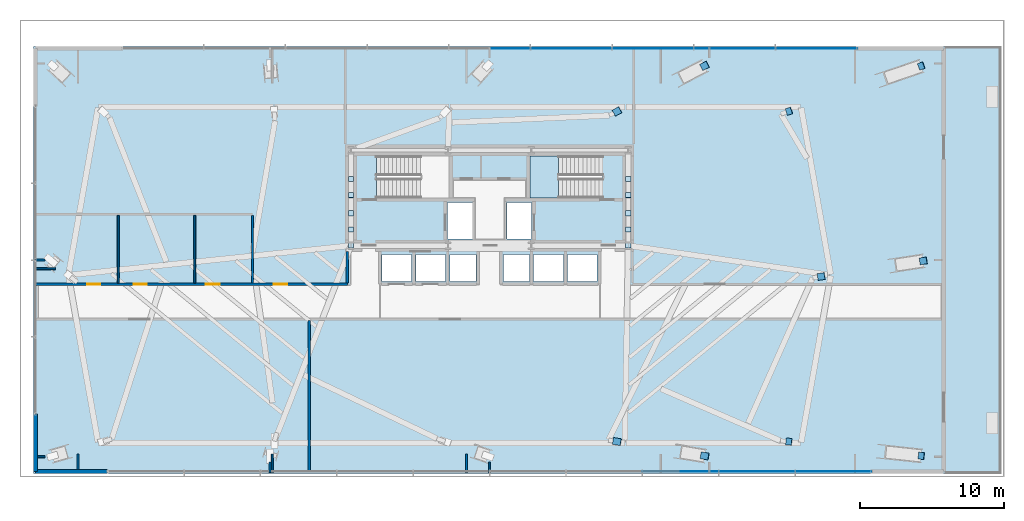
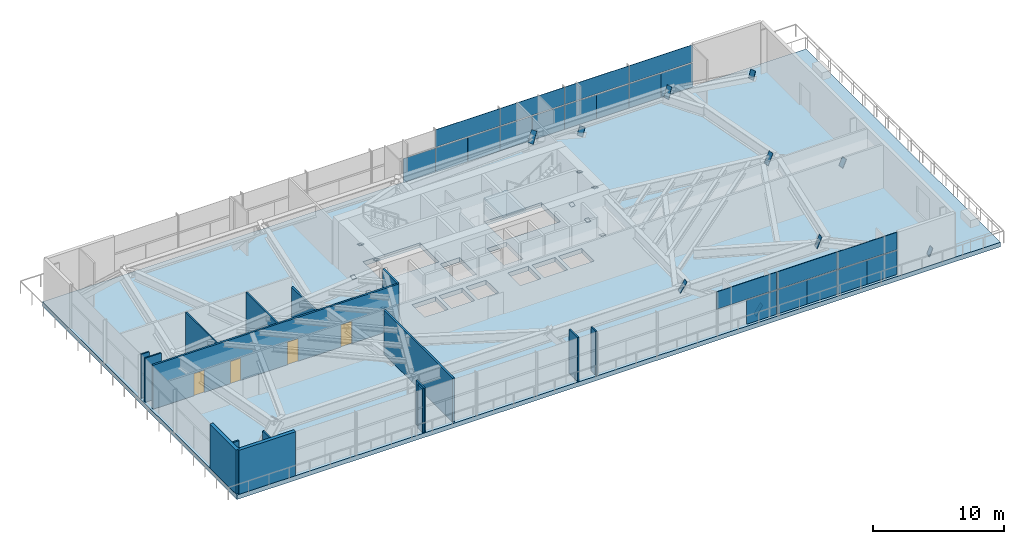
# One storey, part 20 of 29: 41 plates, 16 walls, 4 doors, 2 slabs, 4 openings, 3 elements without a shape of their own.
"""IFC4 building model written with IfcOpenShell, lengths in metres."""

from ifc_helpers import new_model, si_unit, direction, frame, frame_2d, origin, origin_2d, place, context, subcontext, project, spatial, polyline, rectangle, outline, extrude, source, transform, mapped, material, layer, layer_set, type_object, type_shapes, element, fill, aggregate, save


model = new_model("IFC4")

# Units and contexts
model_context = context("Model", 3, precision=1e-05, world=origin(), true_north=direction((0.0, 1.0)))
body_context = subcontext(model_context, "Body", "Model", "MODEL_VIEW")
ifc_project = project(units=[si_unit("LENGTHUNIT", "METRE"), si_unit("AREAUNIT", "SQUARE_METRE"), si_unit("VOLUMEUNIT", "CUBIC_METRE"), si_unit("PLANEANGLEUNIT", "RADIAN"), si_unit("MASSUNIT", "GRAM", prefix="KILO")], contexts=[model_context])

# Site, building, storey
site_placement = place(None, origin())
site = spatial("IfcSite", under=ifc_project, at=site_placement, CompositionType="ELEMENT")
building_placement = place(site_placement, origin())
building = spatial("IfcBuilding", under=site, at=building_placement, Name="Astriad Promenade Condominiums", CompositionType="ELEMENT")
storey_placement = place(building_placement, frame((0.0, 0.0, 18.5)))
storey = spatial("IfcBuildingStorey", under=building, at=storey_placement, Name="L04", CompositionType="ELEMENT", Elevation=18.5)

# Slab
ifc_material_1 = material(Name="Concrete C60/75", Category="concrete")
ifc_layer_1 = layer(ifc_material_1, 0.419921875)
ifc_layer_set_1 = layer_set([ifc_layer_1], Name="Concrete C60/75")
slab_type_1 = type_object("IfcSlabType", Name="CONCRETE TRANSFER FLOOR SLAB 420", PredefinedType="FLOOR", material=ifc_layer_set_1)
slab_1_placement = place(storey_placement, frame((0.0, 0.0, -0.419921875)))
element("IfcSlab", 1, at=slab_1_placement, inside=storey, type_object=slab_type_1, Name="Structural Floor Slab (L04)", PredefinedType="FLOOR", context=body_context, shape_type="SweptSolid", body=[
    extrude(outline(polyline([(67.60009765625, 1.60009765625), (71.449951171875, 1.60009765625), (71.449951171875, 31.199951171875), (67.60009765625, 31.199951171875), (4.39990234375, 31.199951171875), (4.39990234375, 1.60009765625), (67.60009765625, 1.60009765625)]), holes=[polyline([(28.175048828125, 20.699951171875), (33.175048828125, 20.699951171875), (33.175048828125, 23.60009765625), (28.175048828125, 23.60009765625), (28.175048828125, 20.699951171875)]), polyline([(38.824951171875, 20.699951171875), (43.824951171875, 20.699951171875), (43.824951171875, 23.60009765625), (38.824951171875, 23.60009765625), (38.824951171875, 20.699951171875)]), polyline([(33.10009765625, 17.85009765625), (34.800048828125, 17.85009765625), (34.800048828125, 20.39990234375), (33.10009765625, 20.39990234375), (33.10009765625, 17.85009765625)]), polyline([(37.199951171875, 17.85009765625), (38.89990234375, 17.85009765625), (38.89990234375, 20.39990234375), (37.199951171875, 20.39990234375), (37.199951171875, 17.85009765625)]), polyline([(28.550048828125, 14.89990234375), (30.60009765625, 14.89990234375), (30.60009765625, 16.800048828125), (28.550048828125, 16.800048828125), (28.550048828125, 14.89990234375)]), polyline([(30.89990234375, 14.89990234375), (32.949951171875, 14.89990234375), (32.949951171875, 16.800048828125), (30.89990234375, 16.800048828125), (30.89990234375, 14.89990234375)]), polyline([(33.25, 14.89990234375), (35.050048828125, 14.89990234375), (35.050048828125, 16.800048828125), (33.25, 16.800048828125), (33.25, 14.89990234375)]), polyline([(36.949951171875, 14.89990234375), (38.75, 14.89990234375), (38.75, 16.800048828125), (36.949951171875, 16.800048828125), (36.949951171875, 14.89990234375)]), polyline([(39.050048828125, 14.89990234375), (41.10009765625, 14.89990234375), (41.10009765625, 16.800048828125), (39.050048828125, 16.800048828125), (39.050048828125, 14.89990234375)]), polyline([(41.39990234375, 14.89990234375), (43.449951171875, 14.89990234375), (43.449951171875, 16.800048828125), (41.39990234375, 16.800048828125), (41.39990234375, 14.89990234375)])]), origin(), (0.0, 0.0, 1.0), 0.419921875),
])

# Stair, slab
ifc_material_2 = material(Name="Concrete C50/60", Category="concrete")
stair_type = type_object("IfcStairType", Name="STR-CORE-1350", PredefinedType="HALF_TURN_STAIR", material=ifc_material_2)
stair_placement = place(storey_placement, origin())
stair = element("IfcStair", 2, at=stair_placement, inside=storey, type_object=stair_type, Name="L04 Enclosed Core Exit Stair ST-2", PredefinedType="HALF_TURN_STAIR")
ifc_layer_2 = layer(ifc_material_2, 0.219970703125)
ifc_layer_set_2 = layer_set([ifc_layer_2], Name="Concrete C50/60")
slab_type_2 = type_object("IfcSlabType", Name="SLB-LANDING-220", PredefinedType="LANDING", material=ifc_layer_set_2)
slab_2_placement = place(storey_placement, frame((0.0, 0.0, 2.050048828125)))
slab_2 = element("IfcSlab", 3, at=slab_2_placement, type_object=slab_type_2, Name="ST-2 landing 1", PredefinedType="LANDING", context=body_context, shape_type="SweptSolid", body=[
    extrude(outline(polyline([(40.77001953125, 23.60009765625), (38.800048828125, 23.60009765625), (38.800048828125, 20.699951171875), (40.77001953125, 20.699951171875), (40.77001953125, 23.60009765625)])), origin(), (0.0, 0.0, 1.0), 0.199951171875),
])
aggregate(stair, [slab_2])

# Plates
ifc_material_3 = material(Name="Steel ASTM A572 Grade 50", Category="steel")
ifc_layer_3 = layer(ifc_material_3, 0.02490234375)
ifc_layer_set_3 = layer_set([ifc_layer_3], Name="Steel ASTM A572 Grade 50")
plate_type_1 = type_object("IfcPlateType", Name="STEEL HOLLOW SECTION END CAP PLATE 30", PredefinedType="USERDEFINED", material=ifc_layer_set_3)
shared_shape_1 = source(origin(), body_context, "Body", "SweptSolid", [
    extrude(rectangle(XDim=0.477294921875, YDim=1.05126953125, at=origin_2d()), origin(), (0.0, 0.0, 1.0), 0.02490234375),
])
for number, where, z_axis, x_axis, name in (
    (4, (50.903076171875, 2.830322265625, 0.186767578125), (-0.846183825793, 0.138714993966, 0.514520245874), (-0.161770863628, -0.986828347627, 0.0), "Hollow Section End Cap Plate COL-PC04-L04-A"),
    (5, (44.827880859375, 3.826171875, 3.880615234375), (-0.846183825793, 0.138714993966, 0.514520245874), (-0.161770863628, -0.986828347627, 0.0), "Hollow Section End Cap Plate COL-PC04-L04-B"),
    (6, (65.90380859375, 2.835693359375, 0.2060546875), (-0.924123895618, 0.099472511959, 0.368917666848), (-0.107021592678, -0.994256696583, 0.0), "Hollow Section End Cap Plate COL-PC05-L04-A"),
    (7, (56.739013671875, 3.822021484375, 3.86474609375), (-0.924123895618, 0.099472511959, 0.368917666848), (-0.107021592678, -0.994256696583, 0.0), "Hollow Section End Cap Plate COL-PC05-L04-B"),
    (8, (50.89306640625, 29.854736328125, 0.192626953125), (-0.780438977804, -0.407076515898, 0.474556331881), (0.462468634239, -0.886635642383, 0.0), "Hollow Section End Cap Plate COL-PC09-L04-A"),
    (9, (44.83642578125, 26.695556640625, 3.87548828125), (-0.780438977804, -0.407076515898, 0.474556331881), (0.462468634239, -0.886635642383, 0.0), "Hollow Section End Cap Plate COL-PC09-L04-B"),
    (10, (65.899658203125, 29.841552734375, 0.207763671875), (-0.885042041519, -0.303094200835, 0.353319246808), (0.323990689492, -0.946060269286, 0.0), "Hollow Section End Cap Plate COL-PC10-L04-A"),
    (11, (56.742431640625, 26.70556640625, 3.863525390625), (-0.885042041519, -0.303094200835, 0.353319246808), (0.323990689492, -0.946060269286, 0.0), "Hollow Section End Cap Plate COL-PC10-L04-B"),
    (12, (66.045166015625, 16.3427734375, 0.195068359375), (-0.879002492726, -0.134549853958, 0.457439563857), (0.151308697422, -0.988486559385, 0.0), "Hollow Section End Cap Plate COL-PC12-L04-A"),
    (13, (58.976806640625, 15.2607421875, 3.87353515625), (-0.879002492726, -0.134549853958, 0.457439563857), (0.151308697422, -0.988486559385, 0.0), "Hollow Section End Cap Plate COL-PC12-L04-B"),
):
    element("IfcPlate", number, at=place(storey_placement, frame(where, z_axis=z_axis, x_axis=x_axis)), inside=storey, type_object=plate_type_1, Name=name, ObjectType="STIFFENER_PLATE", PredefinedType="USERDEFINED", context=body_context, shape_type="MappedRepresentation", body=[
        mapped(shared_shape_1, transform((0.0, 0.0, 0.0), scale=1.0)),
    ])
shared_shape_2 = source(origin(), body_context, "Body", "SweptSolid", [
    extrude(rectangle(XDim=0.35498046875, YDim=0.380615234375, at=origin_2d()), origin(), (0.0, 0.0, 1.0), 0.02490234375),
])
type_shapes(plate_type_1, [shared_shape_1, shared_shape_2])
for number, where, z_axis, x_axis, name in (
    (14, (26.39990234375, 17.39990234375, 0.14013671875), (0.0, 0.285973970079, 0.958237386266), (1.0, 0.0, 0.0), "Hollow Section End Cap Plate BRACE-TR-L04-01A-A"),
    (15, (26.39990234375, 18.514892578125, 3.8759765625), (0.0, 0.285973970079, 0.958237386266), (1.0, 0.0, 0.0), "Hollow Section End Cap Plate BRACE-TR-L04-01A-B"),
    (16, (26.39990234375, 19.64404296875, 0.14013671875), (0.0, -0.285973970079, 0.958237386266), (1.0, 0.0, 0.0), "Hollow Section End Cap Plate BRACE-TR-L04-01B-A"),
    (17, (26.39990234375, 20.890869140625, 3.8759765625), (0.0, 0.285973970079, 0.958237386266), (1.0, 0.0, 0.0), "Hollow Section End Cap Plate BRACE-TR-L04-02A-B"),
    (18, (26.39990234375, 22.020263671875, 0.14013671875), (0.0, -0.285973970079, 0.958237386266), (1.0, 0.0, 0.0), "Hollow Section End Cap Plate BRACE-TR-L04-02B-A"),
    (19, (45.60009765625, 17.39990234375, 0.14013671875), (0.0, 0.285973970079, 0.958237386266), (1.0, 0.0, 0.0), "Hollow Section End Cap Plate BRACE-TR-L04-03A-A"),
    (20, (45.60009765625, 18.514892578125, 3.8759765625), (0.0, 0.285973970079, 0.958237386266), (1.0, 0.0, 0.0), "Hollow Section End Cap Plate BRACE-TR-L04-03A-B"),
    (21, (45.60009765625, 19.64404296875, 0.14013671875), (0.0, -0.285973970079, 0.958237386266), (1.0, 0.0, 0.0), "Hollow Section End Cap Plate BRACE-TR-L04-03B-A"),
    (22, (45.60009765625, 20.890869140625, 3.8759765625), (0.0, 0.285973970079, 0.958237386266), (1.0, 0.0, 0.0), "Hollow Section End Cap Plate BRACE-TR-L04-04A-B"),
    (23, (45.60009765625, 22.020263671875, 0.14013671875), (0.0, -0.285973970079, 0.958237386266), (1.0, 0.0, 0.0), "Hollow Section End Cap Plate BRACE-TR-L04-04B-A"),
):
    element("IfcPlate", number, at=place(storey_placement, frame(where, z_axis=z_axis, x_axis=x_axis)), inside=storey, type_object=plate_type_1, Name=name, ObjectType="STIFFENER_PLATE", PredefinedType="USERDEFINED", context=body_context, shape_type="MappedRepresentation", body=[
        mapped(shared_shape_2, transform((0.0, 0.0, 0.0), scale=1.0)),
    ])

# Curtain wall, plates
ifc_material_4 = material(Name="Anodised aluminium Black Dark Glass Unitised", Category="aluminium")
curtain_wall_type = type_object("IfcCurtainWallType", Name="CW-POD-DARK", PredefinedType="USERDEFINED", material=ifc_material_4)
curtain_wall_1_placement = place(storey_placement, origin())
curtain_wall_1 = element("IfcCurtainWall", 24, at=curtain_wall_1_placement, inside=storey, type_object=curtain_wall_type, Name="CW-L04-N", ObjectType="UNITISED_CURTAIN_WALL", PredefinedType="USERDEFINED")
ifc_material_5 = material(Name="Dark Tinted Low-E Laminated Glass", Category="glass")
ifc_layer_4 = layer(ifc_material_5, 0.035888671875)
ifc_layer_set_4 = layer_set([ifc_layer_4], Name="Dark Tinted Low-E Laminated Glass")
plate_type_2 = type_object("IfcPlateType", Name="PNL-DARK-GLASS-36", PredefinedType="CURTAIN_PANEL", material=ifc_layer_set_4)
shared_shape_3 = source(origin(), body_context, "Body", "SweptSolid", [
    extrude(rectangle(XDim=2.81591796875, YDim=0.035888671875, at=origin_2d()), origin(), (0.0, 0.0, 1.0), 2.22998046875),
])
plate_1_placement = place(storey_placement, frame((37.413818359375, 31.050048828125, 0.080078125), z_axis=(0.0, 0.0, 1.0), x_axis=(1.0, 0.0, 0.0)))
plate_1 = element("IfcPlate", 25, at=plate_1_placement, type_object=plate_type_2, Name="CW-L04-N-PNL-04-VR", PredefinedType="CURTAIN_PANEL", context=body_context, shape_type="MappedRepresentation", body=[
    mapped(shared_shape_3, transform((0.0, 0.0, 0.0), scale=1.0)),
])
plate_2_placement = place(storey_placement, frame((40.24169921875, 31.050048828125, 0.080078125), z_axis=(0.0, 0.0, 1.0), x_axis=(1.0, 0.0, 0.0)))
plate_2 = element("IfcPlate", 26, at=plate_2_placement, type_object=plate_type_2, Name="CW-L04-N-PNL-05-VL", PredefinedType="CURTAIN_PANEL", context=body_context, shape_type="MappedRepresentation", body=[
    mapped(shared_shape_3, transform((0.0, 0.0, 0.0), scale=1.0)),
])
plate_3_placement = place(storey_placement, frame((43.0693359375, 31.050048828125, 0.080078125), z_axis=(0.0, 0.0, 1.0), x_axis=(1.0, 0.0, 0.0)))
plate_3 = element("IfcPlate", 27, at=plate_3_placement, type_object=plate_type_2, Name="CW-L04-N-PNL-05-VR", PredefinedType="CURTAIN_PANEL", context=body_context, shape_type="MappedRepresentation", body=[
    mapped(shared_shape_3, transform((0.0, 0.0, 0.0), scale=1.0)),
])
plate_4_placement = place(storey_placement, frame((45.897216796875, 31.050048828125, 0.080078125), z_axis=(0.0, 0.0, 1.0), x_axis=(1.0, 0.0, 0.0)))
plate_4 = element("IfcPlate", 28, at=plate_4_placement, type_object=plate_type_2, Name="CW-L04-N-PNL-06-VL", PredefinedType="CURTAIN_PANEL", context=body_context, shape_type="MappedRepresentation", body=[
    mapped(shared_shape_3, transform((0.0, 0.0, 0.0), scale=1.0)),
])
plate_5_placement = place(storey_placement, frame((48.72509765625, 31.050048828125, 0.080078125), z_axis=(0.0, 0.0, 1.0), x_axis=(1.0, 0.0, 0.0)))
plate_5 = element("IfcPlate", 29, at=plate_5_placement, type_object=plate_type_2, Name="CW-L04-N-PNL-06-VR", PredefinedType="CURTAIN_PANEL", context=body_context, shape_type="MappedRepresentation", body=[
    mapped(shared_shape_3, transform((0.0, 0.0, 0.0), scale=1.0)),
])
plate_6_placement = place(storey_placement, frame((51.552734375, 31.050048828125, 0.080078125), z_axis=(0.0, 0.0, 1.0), x_axis=(1.0, 0.0, 0.0)))
plate_6 = element("IfcPlate", 30, at=plate_6_placement, type_object=plate_type_2, Name="CW-L04-N-PNL-07-VL", PredefinedType="CURTAIN_PANEL", context=body_context, shape_type="MappedRepresentation", body=[
    mapped(shared_shape_3, transform((0.0, 0.0, 0.0), scale=1.0)),
])
plate_7_placement = place(storey_placement, frame((54.380615234375, 31.050048828125, 0.080078125), z_axis=(0.0, 0.0, 1.0), x_axis=(1.0, 0.0, 0.0)))
plate_7 = element("IfcPlate", 31, at=plate_7_placement, type_object=plate_type_2, Name="CW-L04-N-PNL-07-VR", PredefinedType="CURTAIN_PANEL", context=body_context, shape_type="MappedRepresentation", body=[
    mapped(shared_shape_3, transform((0.0, 0.0, 0.0), scale=1.0)),
])
plate_8_placement = place(storey_placement, frame((57.208251953125, 31.050048828125, 0.080078125), z_axis=(0.0, 0.0, 1.0), x_axis=(1.0, 0.0, 0.0)))
plate_8 = element("IfcPlate", 32, at=plate_8_placement, type_object=plate_type_2, Name="CW-L04-N-PNL-08-VL", PredefinedType="CURTAIN_PANEL", context=body_context, shape_type="MappedRepresentation", body=[
    mapped(shared_shape_3, transform((0.0, 0.0, 0.0), scale=1.0)),
])
plate_9_placement = place(storey_placement, frame((60.0361328125, 31.050048828125, 0.080078125), z_axis=(0.0, 0.0, 1.0), x_axis=(1.0, 0.0, 0.0)))
plate_9 = element("IfcPlate", 33, at=plate_9_placement, type_object=plate_type_2, Name="CW-L04-N-PNL-08-VR", PredefinedType="CURTAIN_PANEL", context=body_context, shape_type="MappedRepresentation", body=[
    mapped(shared_shape_3, transform((0.0, 0.0, 0.0), scale=1.0)),
])
shared_shape_4 = source(origin(), body_context, "Body", "SweptSolid", [
    extrude(rectangle(XDim=5.6435546875, YDim=0.035888671875, at=origin_2d()), origin(), (0.0, 0.0, 1.0), 1.610107421875),
])
plate_10_placement = place(storey_placement, frame((41.655517578125, 31.050048828125, 2.39013671875), z_axis=(0.0, 0.0, 1.0), x_axis=(1.0, 0.0, 0.0)))
plate_10 = element("IfcPlate", 34, at=plate_10_placement, type_object=plate_type_2, Name="CW-L04-N-PNL-05-S", PredefinedType="CURTAIN_PANEL", context=body_context, shape_type="MappedRepresentation", body=[
    mapped(shared_shape_4, transform((0.0, 0.0, 0.0), scale=1.0)),
])
plate_11_placement = place(storey_placement, frame((47.31103515625, 31.050048828125, 2.39013671875), z_axis=(0.0, 0.0, 1.0), x_axis=(1.0, 0.0, 0.0)))
plate_11 = element("IfcPlate", 35, at=plate_11_placement, type_object=plate_type_2, Name="CW-L04-N-PNL-06-S", PredefinedType="CURTAIN_PANEL", context=body_context, shape_type="MappedRepresentation", body=[
    mapped(shared_shape_4, transform((0.0, 0.0, 0.0), scale=1.0)),
])
plate_12_placement = place(storey_placement, frame((52.966796875, 31.050048828125, 2.39013671875), z_axis=(0.0, 0.0, 1.0), x_axis=(1.0, 0.0, 0.0)))
plate_12 = element("IfcPlate", 36, at=plate_12_placement, type_object=plate_type_2, Name="CW-L04-N-PNL-07-S", PredefinedType="CURTAIN_PANEL", context=body_context, shape_type="MappedRepresentation", body=[
    mapped(shared_shape_4, transform((0.0, 0.0, 0.0), scale=1.0)),
])
plate_13_placement = place(storey_placement, frame((58.622314453125, 31.050048828125, 2.39013671875), z_axis=(0.0, 0.0, 1.0), x_axis=(1.0, 0.0, 0.0)))
plate_13 = element("IfcPlate", 37, at=plate_13_placement, type_object=plate_type_2, Name="CW-L04-N-PNL-08-S", PredefinedType="CURTAIN_PANEL", context=body_context, shape_type="MappedRepresentation", body=[
    mapped(shared_shape_4, transform((0.0, 0.0, 0.0), scale=1.0)),
])
aggregate(curtain_wall_1, [plate_1, plate_2, plate_3, plate_10, plate_4, plate_5, plate_11, plate_6, plate_7, plate_12, plate_8, plate_9, plate_13])

curtain_wall_2_placement = place(storey_placement, origin())
curtain_wall_2 = element("IfcCurtainWall", 38, at=curtain_wall_2_placement, inside=storey, type_object=curtain_wall_type, Name="CW-L04-S", ObjectType="UNITISED_CURTAIN_WALL", PredefinedType="USERDEFINED")
shared_shape_5 = source(origin(), body_context, "Body", "SweptSolid", [
    extrude(rectangle(XDim=2.633056640625, YDim=0.035888671875, at=origin_2d()), origin(), (0.0, 0.0, 1.0), 2.22998046875),
])
plate_14_placement = place(storey_placement, frame((61.12744140625, 1.75, 0.080078125), z_axis=(0.0, 0.0, 1.0), x_axis=(-1.0, 0.0, 0.0)))
plate_14 = element("IfcPlate", 39, at=plate_14_placement, type_object=plate_type_2, Name="CW-L04-S-PNL-00-VL", PredefinedType="CURTAIN_PANEL", context=body_context, shape_type="MappedRepresentation", body=[
    mapped(shared_shape_5, transform((0.0, 0.0, 0.0), scale=1.0)),
])
plate_15_placement = place(storey_placement, frame((58.482421875, 1.75, 0.080078125), z_axis=(0.0, 0.0, 1.0), x_axis=(-1.0, 0.0, 0.0)))
plate_15 = element("IfcPlate", 40, at=plate_15_placement, type_object=plate_type_2, Name="CW-L04-S-PNL-00-VR", PredefinedType="CURTAIN_PANEL", context=body_context, shape_type="MappedRepresentation", body=[
    mapped(shared_shape_5, transform((0.0, 0.0, 0.0), scale=1.0)),
])
plate_16_placement = place(storey_placement, frame((55.83740234375, 1.75, 0.080078125), z_axis=(0.0, 0.0, 1.0), x_axis=(-1.0, 0.0, 0.0)))
plate_16 = element("IfcPlate", 41, at=plate_16_placement, type_object=plate_type_2, Name="CW-L04-S-PNL-01-VL", PredefinedType="CURTAIN_PANEL", context=body_context, shape_type="MappedRepresentation", body=[
    mapped(shared_shape_5, transform((0.0, 0.0, 0.0), scale=1.0)),
])
plate_17_placement = place(storey_placement, frame((53.1923828125, 1.75, 0.080078125), z_axis=(0.0, 0.0, 1.0), x_axis=(-1.0, 0.0, 0.0)))
plate_17 = element("IfcPlate", 42, at=plate_17_placement, type_object=plate_type_2, Name="CW-L04-S-PNL-01-VR", PredefinedType="CURTAIN_PANEL", context=body_context, shape_type="MappedRepresentation", body=[
    mapped(shared_shape_5, transform((0.0, 0.0, 0.0), scale=1.0)),
])
plate_18_placement = place(storey_placement, frame((50.547607421875, 1.75, 0.080078125), z_axis=(0.0, 0.0, 1.0), x_axis=(-1.0, 0.0, 0.0)))
plate_18 = element("IfcPlate", 43, at=plate_18_placement, type_object=plate_type_2, Name="CW-L04-S-PNL-02-VL", PredefinedType="CURTAIN_PANEL", context=body_context, shape_type="MappedRepresentation", body=[
    mapped(shared_shape_5, transform((0.0, 0.0, 0.0), scale=1.0)),
])
shared_shape_6 = source(origin(), body_context, "Body", "SweptSolid", [
    extrude(rectangle(XDim=5.278076171875, YDim=0.035888671875, at=origin_2d()), origin(), (0.0, 0.0, 1.0), 1.610107421875),
])
type_shapes(plate_type_2, [shared_shape_3, shared_shape_4, shared_shape_5, shared_shape_6])
plate_19_placement = place(storey_placement, frame((59.804931640625, 1.75, 2.39013671875), z_axis=(0.0, 0.0, 1.0), x_axis=(-1.0, 0.0, 0.0)))
plate_19 = element("IfcPlate", 44, at=plate_19_placement, type_object=plate_type_2, Name="CW-L04-S-PNL-00-S", PredefinedType="CURTAIN_PANEL", context=body_context, shape_type="MappedRepresentation", body=[
    mapped(shared_shape_6, transform((0.0, 0.0, 0.0), scale=1.0)),
])
plate_20_placement = place(storey_placement, frame((54.514892578125, 1.75, 2.39013671875), z_axis=(0.0, 0.0, 1.0), x_axis=(-1.0, 0.0, 0.0)))
plate_20 = element("IfcPlate", 45, at=plate_20_placement, type_object=plate_type_2, Name="CW-L04-S-PNL-01-S", PredefinedType="CURTAIN_PANEL", context=body_context, shape_type="MappedRepresentation", body=[
    mapped(shared_shape_6, transform((0.0, 0.0, 0.0), scale=1.0)),
])
plate_21_placement = place(storey_placement, frame((49.22509765625, 1.75, 2.39013671875), z_axis=(0.0, 0.0, 1.0), x_axis=(-1.0, 0.0, 0.0)))
plate_21 = element("IfcPlate", 46, at=plate_21_placement, type_object=plate_type_2, Name="CW-L04-S-PNL-02-S", PredefinedType="CURTAIN_PANEL", context=body_context, shape_type="MappedRepresentation", body=[
    mapped(shared_shape_6, transform((0.0, 0.0, 0.0), scale=1.0)),
])
aggregate(curtain_wall_2, [plate_14, plate_15, plate_19, plate_16, plate_17, plate_20, plate_18, plate_21])

# Wall, openings, doors
ifc_material_6 = material(Name="Fire-Rated Gypsum Partition")
ifc_layer_5 = layer(ifc_material_6, 0.159912109375)
ifc_layer_set_5 = layer_set([ifc_layer_5], Name="Fire-Rated Gypsum Partition")
wall_type_1 = type_object("IfcWallType", Name="WALL-CORR-160", PredefinedType="PARTITIONING", material=ifc_layer_set_5)
wall_1_placement = place(storey_placement, frame((4.550048828125, 14.719970703125, 0.0), z_axis=(0.0, 0.0, 1.0), x_axis=(1.0, 0.0, 0.0)))
wall_1 = element("IfcWall", 47, at=wall_1_placement, inside=storey, type_object=wall_type_1, Name="PT-L04-CNW", PredefinedType="PARTITIONING", context=body_context, shape_type="SweptSolid", body=[
    extrude(rectangle(XDim=21.599853515625, YDim=0.159912109375, at=frame_2d((10.7998046875, 0.0))), origin(), (0.0, 0.0, 1.0), 4.080078125),
])
opening_1_placement = place(wall_1_placement, frame((16.5, 0.0, 0.0)))
opening_1 = element("IfcOpeningElement", 48, at=opening_1_placement, cuts=wall_1, Name="Opening FD60-APT-095", PredefinedType="OPENING", context=body_context, shape_type="SweptSolid", body=[
    extrude(rectangle(XDim=0.949951171875, YDim=2.06005859375, at=frame_2d((0.47509765625, 1.030029296875))), frame((0.0, 0.08984375, 0.0), z_axis=(0.0, -1.0, 0.0), x_axis=(1.0, 0.0, 0.0)), (0.0, 0.0, 1.0), 0.179931640625),
])
opening_2_placement = place(wall_1_placement, frame((3.60009765625, 0.0, 0.0)))
opening_2 = element("IfcOpeningElement", 49, at=opening_2_placement, cuts=wall_1, Name="Opening D-INT-090", PredefinedType="OPENING", context=body_context, shape_type="SweptSolid", body=[
    extrude(rectangle(XDim=0.89990234375, YDim=2.050048828125, at=frame_2d((0.449951171875, 1.02490234375))), frame((0.0, 0.08984375, 0.0), z_axis=(0.0, -1.0, 0.0), x_axis=(1.0, 0.0, 0.0)), (0.0, 0.0, 1.0), 0.179931640625),
])
opening_3_placement = place(wall_1_placement, frame((6.800048828125, 0.0, 0.0)))
opening_3 = element("IfcOpeningElement", 50, at=opening_3_placement, cuts=wall_1, Name="Opening D-INT-090", PredefinedType="OPENING", context=body_context, shape_type="SweptSolid", body=[
    extrude(rectangle(XDim=0.89990234375, YDim=2.050048828125, at=frame_2d((0.449951171875, 1.02490234375))), frame((0.0, 0.08984375, 0.0), z_axis=(0.0, -1.0, 0.0), x_axis=(1.0, 0.0, 0.0)), (0.0, 0.0, 1.0), 0.179931640625),
])
opening_4_placement = place(wall_1_placement, frame((11.800048828125, 0.0, 0.0)))
opening_4 = element("IfcOpeningElement", 51, at=opening_4_placement, cuts=wall_1, Name="Opening D-WET-095", PredefinedType="OPENING", context=body_context, shape_type="SweptSolid", body=[
    extrude(rectangle(XDim=0.949951171875, YDim=2.10009765625, at=frame_2d((0.47509765625, 1.050048828125))), frame((0.0, 0.08984375, 0.0), z_axis=(0.0, -1.0, 0.0), x_axis=(1.0, 0.0, 0.0)), (0.0, 0.0, 1.0), 0.179931640625),
])
ifc_material_7 = material(Name="Accessible Restroom Timber Door", Category="wood")
door_type_1 = type_object("IfcDoorType", Name="D-WET-095", OperationType="NOTDEFINED", PredefinedType="DOOR", material=ifc_material_7)
shared_shape_7 = source(origin(), body_context, "Body", "SweptSolid", [
    extrude(rectangle(XDim=0.949951171875, YDim=2.10009765625, at=frame_2d((0.47509765625, 1.050048828125))), frame((0.0, 0.02490234375, 0.0), z_axis=(0.0, -1.0, 0.0), x_axis=(1.0, 0.0, 0.0)), (0.0, 0.0, 1.0), 0.050048828125),
])
type_shapes(door_type_1, [shared_shape_7])
door_1_placement = place(opening_4_placement, origin())
door_1 = element("IfcDoor", 52, at=door_1_placement, inside=storey, type_object=door_type_1, Name="D-L04-WCA", OperationType="SINGLE_SWING_RIGHT", OverallHeight=2.10009765625, OverallWidth=0.949951171875, PredefinedType="DOOR", context=body_context, shape_type="MappedRepresentation", body=[
    mapped(shared_shape_7, transform((0.0, 0.0, 0.0), scale=1.0)),
])
fill(opening_4, door_1)
ifc_material_8 = material(Name="Solid-Core Acoustic Timber Residence Entry Door", Category="wood")
door_type_2 = type_object("IfcDoorType", Name="FD60-APT-095", OperationType="NOTDEFINED", PredefinedType="DOOR", material=ifc_material_8)
shared_shape_8 = source(origin(), body_context, "Body", "SweptSolid", [
    extrude(rectangle(XDim=0.949951171875, YDim=2.06005859375, at=frame_2d((0.47509765625, 1.030029296875))), frame((0.0, 0.02490234375, 0.0), z_axis=(0.0, -1.0, 0.0), x_axis=(1.0, 0.0, 0.0)), (0.0, 0.0, 1.0), 0.050048828125),
])
type_shapes(door_type_2, [shared_shape_8])
door_2_placement = place(opening_1_placement, origin())
door_2 = element("IfcDoor", 53, at=door_2_placement, inside=storey, type_object=door_type_2, Name="D-L04-R4", OperationType="SINGLE_SWING_LEFT", OverallHeight=2.06005859375, OverallWidth=0.949951171875, PredefinedType="DOOR", context=body_context, shape_type="MappedRepresentation", body=[
    mapped(shared_shape_8, transform((0.0, 0.0, 0.0), scale=1.0)),
])
fill(opening_1, door_2)
ifc_material_9 = material(Name="Painted Solid-Core Timber Bedroom Door", Category="wood")
door_type_3 = type_object("IfcDoorType", Name="D-INT-090", OperationType="NOTDEFINED", PredefinedType="DOOR", material=ifc_material_9)
shared_shape_9 = source(origin(), body_context, "Body", "SweptSolid", [
    extrude(rectangle(XDim=0.89990234375, YDim=2.050048828125, at=frame_2d((0.449951171875, 1.02490234375))), frame((0.0, 0.02490234375, 0.0), z_axis=(0.0, -1.0, 0.0), x_axis=(1.0, 0.0, 0.0)), (0.0, 0.0, 1.0), 0.050048828125),
])
type_shapes(door_type_3, [shared_shape_9])
door_3_placement = place(opening_2_placement, origin())
door_3 = element("IfcDoor", 54, at=door_3_placement, inside=storey, type_object=door_type_3, Name="D-L04-WCM", OperationType="SINGLE_SWING_RIGHT", OverallHeight=2.050048828125, OverallWidth=0.89990234375, PredefinedType="DOOR", context=body_context, shape_type="MappedRepresentation", body=[
    mapped(shared_shape_9, transform((0.0, 0.0, 0.0), scale=1.0)),
])
fill(opening_2, door_3)
door_4_placement = place(opening_3_placement, origin())
door_4 = element("IfcDoor", 55, at=door_4_placement, inside=storey, type_object=door_type_3, Name="D-L04-WCF", OperationType="SINGLE_SWING_LEFT", OverallHeight=2.050048828125, OverallWidth=0.89990234375, PredefinedType="DOOR", context=body_context, shape_type="MappedRepresentation", body=[
    mapped(shared_shape_9, transform((0.0, 0.0, 0.0), scale=1.0)),
])
fill(opening_3, door_4)

# Walls
wall_2_placement = place(storey_placement, frame((23.5, 1.75, 0.0), z_axis=(0.0, 0.0, 1.0), x_axis=(0.0, 1.0, 0.0)))
element("IfcWall", 56, at=wall_2_placement, inside=storey, type_object=wall_type_1, Name="PT-L04-SV", PredefinedType="PARTITIONING", context=body_context, shape_type="SweptSolid", body=[
    extrude(rectangle(XDim=10.468017578125, YDim=0.159912109375, at=frame_2d((5.23388671875, 0.0))), origin(), (0.0, 0.0, 1.0), 4.080078125),
])
wall_3_placement = place(storey_placement, frame((19.580078125, 14.802001953125, 0.0), z_axis=(0.0, 0.0, 1.0), x_axis=(0.0, 1.0, 0.0)))
element("IfcWall", 57, at=wall_3_placement, inside=storey, type_object=wall_type_1, Name="PT-L04-WC3", PredefinedType="PARTITIONING", context=body_context, shape_type="SweptSolid", body=[
    extrude(rectangle(XDim=4.696044921875, YDim=0.159912109375, at=frame_2d((2.34814453125, 0.0))), origin(), (0.0, 0.0, 1.0), 3.184814453125),
])
wall_4_placement = place(storey_placement, frame((26.14990234375, 14.802001953125, 0.0), z_axis=(0.0, 0.0, 1.0), x_axis=(0.0, 1.0, 0.0)))
element("IfcWall", 58, at=wall_4_placement, inside=storey, type_object=wall_type_1, Name="PT-L04-CWSP", PredefinedType="PARTITIONING", context=body_context, shape_type="SweptSolid", body=[
    extrude(rectangle(XDim=2.196044921875, YDim=0.159912109375, at=frame_2d((1.09814453125, 0.0))), origin(), (0.0, 0.0, 1.0), 4.080078125),
])
ifc_material_10 = material(Name="Precast concrete C50/60", Category="concrete")
ifc_layer_6 = layer(ifc_material_10, 0.300048828125)
ifc_layer_set_6 = layer_set([ifc_layer_6], Name="Precast concrete C50/60")
wall_type_2 = type_object("IfcWallType", Name="WALL-EXT-POD-300", PredefinedType="STANDARD", material=ifc_layer_set_6)
wall_5_placement = place(storey_placement, frame((4.550048828125, 1.75, 0.0), z_axis=(0.0, 0.0, 1.0), x_axis=(0.0, 1.0, 0.0)))
element("IfcWall", 59, at=wall_5_placement, inside=storey, type_object=wall_type_2, Name="W-EXT-L04-W1", PredefinedType="STANDARD", context=body_context, shape_type="SweptSolid", body=[
    extrude(rectangle(XDim=4.0, YDim=0.300048828125, at=frame_2d((2.0, 0.0))), origin(), (0.0, 0.0, 1.0), 4.080078125),
])
wall_6_placement = place(storey_placement, frame((9.550048828125, 1.75, 0.0), z_axis=(0.0, 0.0, 1.0), x_axis=(-1.0, 0.0, 0.0)))
element("IfcWall", 60, at=wall_6_placement, inside=storey, type_object=wall_type_2, Name="W-EXT-L04-S2", PredefinedType="STANDARD", context=body_context, shape_type="SweptSolid", body=[
    extrude(rectangle(XDim=5.0, YDim=0.300048828125, at=frame_2d((2.5, 0.0))), origin(), (0.0, 0.0, 1.0), 4.080078125),
])
ifc_material_11 = material(Name="Acoustic Metal-Stud Gypsum Partition")
ifc_layer_7 = layer(ifc_material_11, 0.1201171875)
ifc_layer_set_7 = layer_set([ifc_layer_7], Name="Acoustic Metal-Stud Gypsum Partition")
wall_type_3 = type_object("IfcWallType", Name="WALL-PART-120", PredefinedType="PARTITIONING", material=ifc_layer_set_7)
for number, where, z_axis, x_axis, name in (
    (61, (10.280029296875, 14.802001953125, 0.0), (0.0, 0.0, 1.0), (0.0, 1.0, 0.0), "PT-L04-WC1"),
    (62, (15.580078125, 14.802001953125, 0.0), (0.0, 0.0, 1.0), (0.0, 1.0, 0.0), "PT-L04-WC2"),
):
    element("IfcWall", number, at=place(storey_placement, frame(where, z_axis=z_axis, x_axis=x_axis)), inside=storey, type_object=wall_type_3, Name=name, PredefinedType="PARTITIONING", context=body_context, shape_type="SweptSolid", body=[
        extrude(rectangle(XDim=4.696044921875, YDim=0.1201171875, at=frame_2d((2.34814453125, 0.0))), origin(), (0.0, 0.0, 1.0), 4.080078125),
    ])
wall_7_placement = place(storey_placement, frame((7.489990234375, 2.949951171875, 0.0), z_axis=(0.0, 0.0, 1.0), x_axis=(0.0, -1.0, 0.0)))
element("IfcWall", 63, at=wall_7_placement, inside=storey, type_object=wall_type_3, Name="PT-PIL-L04-PC01-8", PredefinedType="PARTITIONING", context=body_context, shape_type="SweptSolid", body=[
    extrude(rectangle(XDim=1.0478515625, YDim=0.1201171875, at=frame_2d((0.52392578125, 0.0))), origin(), (0.0, 0.0, 1.0), 4.080078125),
])
for number, where, z_axis, x_axis, name in (
    (64, (20.945068359375, 2.949951171875, 0.0), (0.0, 0.0, 1.0), (0.0, -1.0, 0.0), "PT-PIL-L04-PC02-9"),
    (65, (34.39990234375, 2.949951171875, 0.0), (0.0, 0.0, 1.0), (0.0, -1.0, 0.0), "PT-PIL-L04-PC03-10"),
):
    element("IfcWall", number, at=place(storey_placement, frame(where, z_axis=z_axis, x_axis=x_axis)), inside=storey, type_object=wall_type_3, Name=name, PredefinedType="PARTITIONING", context=body_context, shape_type="SweptSolid", body=[
        extrude(rectangle(XDim=1.27001953125, YDim=0.1201171875, at=frame_2d((0.635009765625, 0.0))), origin(), (0.0, 0.0, 1.0), 4.080078125),
    ])
wall_8_placement = place(storey_placement, frame((5.919921875, 15.800048828125, 0.0), z_axis=(0.0, 0.0, 1.0), x_axis=(-1.0, 0.0, 0.0)))
element("IfcWall", 66, at=wall_8_placement, inside=storey, type_object=wall_type_3, Name="PT-PIL-L04-PC11-18", PredefinedType="PARTITIONING", context=body_context, shape_type="SweptSolid", body=[
    extrude(rectangle(XDim=1.43994140625, YDim=0.1201171875, at=frame_2d((0.719970703125, 0.0))), origin(), (0.0, 0.0, 1.0), 4.080078125),
])
wall_9_placement = place(storey_placement, frame((5.199951171875, 2.780029296875, 0.0), z_axis=(0.0, 0.0, 1.0), x_axis=(-1.0, 0.0, 0.0)))
element("IfcWall", 67, at=wall_9_placement, inside=storey, type_object=wall_type_3, Name="PT-PIL-L04-PC01-20", PredefinedType="PARTITIONING", context=body_context, shape_type="SweptSolid", body=[
    extrude(rectangle(XDim=0.498046875, YDim=0.1201171875, at=frame_2d((0.2490234375, 0.0))), origin(), (0.0, 0.0, 1.0), 4.080078125),
])
for number, where, z_axis, x_axis, name in (
    (68, (20.7900390625, 2.39990234375, 0.0), (0.0, 0.0, 1.0), (0.0, -1.0, 0.0), "PT-PIL-L04-PC02-21"),
    (69, (36.0, 2.39990234375, 0.0), (0.0, 0.0, 1.0), (0.0, -1.0, 0.0), "PT-PIL-L04-PC03-22"),
    (70, (5.199951171875, 16.39990234375, 0.0), (0.0, 0.0, 1.0), (-1.0, 0.0, 0.0), "PT-PIL-L04-PC11-30"),
):
    element("IfcWall", number, at=place(storey_placement, frame(where, z_axis=z_axis, x_axis=x_axis)), inside=storey, type_object=wall_type_3, Name=name, PredefinedType="PARTITIONING", context=body_context, shape_type="SweptSolid", body=[
        extrude(rectangle(XDim=0.719970703125, YDim=0.1201171875, at=frame_2d((0.35986328125, 0.0))), origin(), (0.0, 0.0, 1.0), 4.080078125),
    ])

save(model, "model.ifc")
